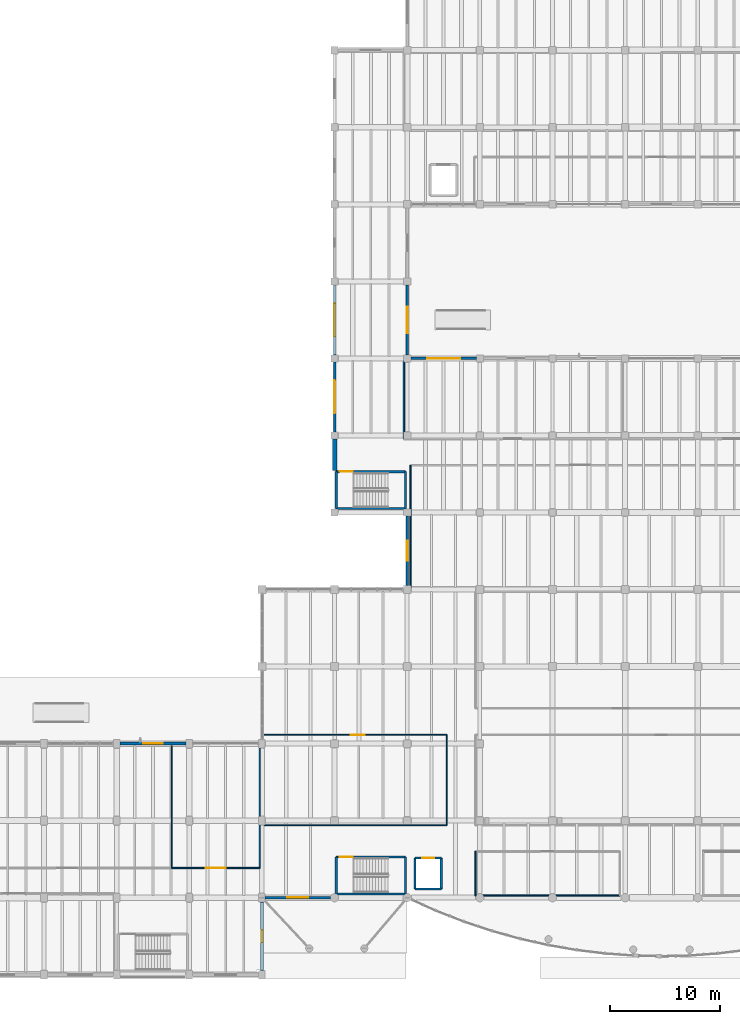
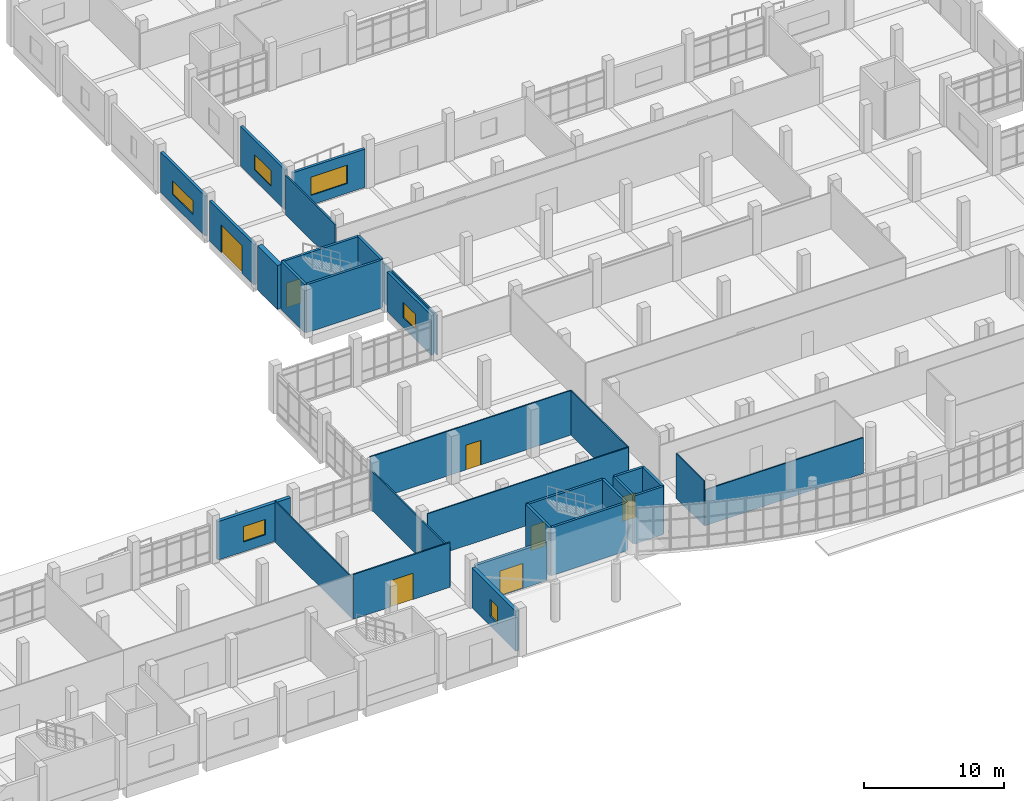
# One storey, part 45 of 69: 31 walls, 7 doors, 6 windows, 13 openings.
"""IFC4 building model written with IfcOpenShell, lengths in metres."""

from ifc_helpers import new_model, si_unit, direction, frame, frame_2d, origin, place, context, subcontext, project, spatial, rectangle, extrude, material, layer, layer_set, type_object, element, fill, save


model = new_model("IFC4")

# Units and contexts
model_context = context("Model", 3, precision=1e-05, world=origin(), true_north=direction((0.0, 1.0)))
body_context = subcontext(model_context, "Body", "Model", "MODEL_VIEW")
ifc_project = project(units=[si_unit("LENGTHUNIT", "METRE"), si_unit("AREAUNIT", "SQUARE_METRE"), si_unit("VOLUMEUNIT", "CUBIC_METRE"), si_unit("PLANEANGLEUNIT", "RADIAN"), si_unit("MASSUNIT", "GRAM", prefix="KILO")], contexts=[model_context])

# Site, building, storey
site_placement = place(None, origin())
site = spatial("IfcSite", under=ifc_project, at=site_placement, CompositionType="ELEMENT")
building_placement = place(site_placement, origin())
building = spatial("IfcBuilding", under=site, at=building_placement, Name="Ciguamira Faculty of Natural Sciences", CompositionType="ELEMENT")
storey_placement = place(building_placement, origin())
storey = spatial("IfcBuildingStorey", under=building, at=storey_placement, Name="L00", CompositionType="ELEMENT", Elevation=0.0)

# Wall, opening, window
ifc_material_1 = material(Name="Precast concrete C40/50", Category="concrete")
ifc_layer_1 = layer(ifc_material_1, 0.280029296875, Name="Precast concrete C40/50")
ifc_layer_set_1 = layer_set([ifc_layer_1], Name="Precast concrete C40/50")
wall_type_1 = type_object("IfcWallType", Name="ExtWall_EW-01_280", PredefinedType="SOLIDWALL", material=ifc_layer_set_1)
wall_1_placement = place(storey_placement, frame((37.800048828125, 24.0, 0.0), z_axis=(0.0, 0.0, 1.0), x_axis=(1.0, 0.0, 0.0)))
wall_1 = element("IfcWall", 1, at=wall_1_placement, inside=storey, type_object=wall_type_1, Name="L00 exterior wall 0082", PredefinedType="SOLIDWALL", context=body_context, shape_type="SweptSolid", body=[
    extrude(rectangle(XDim=6.0, YDim=0.280029296875, at=frame_2d((3.0, 0.0))), origin(), (0.0, 0.0, 1.0), 3.364990234375),
])
opening_1_placement = place(wall_1_placement, frame((2.10009765625, 0.0, 0.85009765625)))
opening_1 = element("IfcOpeningElement", 2, at=opening_1_placement, cuts=wall_1, Name="Opening WT-05", PredefinedType="OPENING", context=body_context, shape_type="SweptSolid", body=[
    extrude(rectangle(XDim=1.800048828125, YDim=1.35009765625, at=frame_2d((0.89990234375, 0.675048828125))), frame((0.0, 0.14990234375, 0.0), z_axis=(0.0, -1.0, 0.0), x_axis=(1.0, 0.0, 0.0)), (0.0, 0.0, 1.0), 0.300048828125),
])
ifc_material_2 = material(Name="Hurricane laminated solar glass", Category="glass")
window_type_1 = type_object("IfcWindowType", Name="Window_WT-05_1800x1350", PartitioningType="DOUBLE_PANEL_VERTICAL", PredefinedType="WINDOW", material=ifc_material_2)
window_1_placement = place(opening_1_placement, origin())
window_1 = element("IfcWindow", 3, at=window_1_placement, inside=storey, type_object=window_type_1, Name="L00 facade window 0012", OverallHeight=1.35009765625, OverallWidth=1.800048828125, PartitioningType="SINGLE_PANEL", PredefinedType="WINDOW", context=body_context, shape_type="SweptSolid", body=[
    extrude(rectangle(XDim=1.800048828125, YDim=1.35009765625, at=frame_2d((0.89990234375, 0.675048828125))), frame((0.0, 0.030029296875, 0.0), z_axis=(0.0, -1.0, 0.0), x_axis=(1.0, 0.0, 0.0)), (0.0, 0.0, 1.0), 0.06005859375),
])
fill(opening_1, window_1)

wall_2_placement = place(storey_placement, frame((50.699951171875, 3.375, 0.0), z_axis=(0.0, 0.0, 1.0), x_axis=(0.0, 1.0, 0.0)))
wall_2 = element("IfcWall", 4, at=wall_2_placement, inside=storey, type_object=wall_type_1, Name="L00 exterior wall 0108", PredefinedType="SOLIDWALL", context=body_context, shape_type="SweptSolid", body=[
    extrude(rectangle(XDim=6.25, YDim=0.280029296875, at=frame_2d((3.125, 0.0))), origin(), (0.0, 0.0, 1.0), 3.5048828125),
])
opening_2_placement = place(wall_2_placement, frame((2.574951171875, 0.0, 0.85009765625)))
opening_2 = element("IfcOpeningElement", 5, at=opening_2_placement, cuts=wall_2, Name="Opening WT-27", PredefinedType="OPENING", context=body_context, shape_type="SweptSolid", body=[
    extrude(rectangle(XDim=1.10009765625, YDim=1.449951171875, at=frame_2d((0.550048828125, 0.72509765625))), frame((0.0, 0.14990234375, 0.0), z_axis=(0.0, -1.0, 0.0), x_axis=(1.0, 0.0, 0.0)), (0.0, 0.0, 1.0), 0.300048828125),
])
window_type_2 = type_object("IfcWindowType", Name="Window_WT-27_1100x1450", PartitioningType="DOUBLE_PANEL_VERTICAL", PredefinedType="WINDOW", material=ifc_material_2)
window_2_placement = place(opening_2_placement, origin())
window_2 = element("IfcWindow", 6, at=window_2_placement, inside=storey, type_object=window_type_2, Name="L00 facade window 0029", OverallHeight=1.449951171875, OverallWidth=1.10009765625, PartitioningType="SINGLE_PANEL", PredefinedType="WINDOW", context=body_context, shape_type="SweptSolid", body=[
    extrude(rectangle(XDim=1.10009765625, YDim=1.449951171875, at=frame_2d((0.550048828125, 0.72509765625))), frame((0.0, 0.030029296875, 0.0), z_axis=(0.0, -1.0, 0.0), x_axis=(1.0, 0.0, 0.0)), (0.0, 0.0, 1.0), 0.06005859375),
])
fill(opening_2, window_2)

# Wall, opening, door
ifc_layer_2 = layer(ifc_material_1, 0.219970703125, Name="Precast concrete C40/50")
ifc_layer_set_2 = layer_set([ifc_layer_2], Name="Precast concrete C40/50")
wall_type_2 = type_object("IfcWallType", Name="ExtWall_EW-03_220", PredefinedType="SOLIDWALL", material=ifc_layer_set_2)
wall_3_placement = place(storey_placement, frame((51.0, 10.0, 0.0), z_axis=(0.0, 0.0, 1.0), x_axis=(1.0, 0.0, 0.0)))
wall_3 = element("IfcWall", 7, at=wall_3_placement, inside=storey, type_object=wall_type_2, Name="L00 exterior wall 0078", PredefinedType="SOLIDWALL", context=body_context, shape_type="SweptSolid", body=[
    extrude(rectangle(XDim=5.925048828125, YDim=0.219970703125, at=frame_2d((2.96240234375, 0.0))), origin(), (0.0, 0.0, 1.0), 3.385009765625),
])
opening_3_placement = place(wall_3_placement, frame((2.012451171875, 0.0, 0.0)))
opening_3 = element("IfcOpeningElement", 8, at=opening_3_placement, cuts=wall_3, Name="Opening ED-04", PredefinedType="OPENING", context=body_context, shape_type="SweptSolid", body=[
    extrude(rectangle(XDim=1.89990234375, YDim=2.199951171875, at=frame_2d((0.949951171875, 1.10009765625))), frame((0.0, 0.119873046875, 0.0), z_axis=(0.0, -1.0, 0.0), x_axis=(1.0, 0.0, 0.0)), (0.0, 0.0, 1.0), 0.239990234375),
])
ifc_material_3 = material(Name="Stair final exit discharge double door")
door_type_1 = type_object("IfcDoorType", Name="ExtDoor_ED-04_1900x2200", OperationType="NOTDEFINED", PredefinedType="DOOR", material=ifc_material_3)
door_1_placement = place(opening_3_placement, frame((1.89990234375, 0.0, 0.0), z_axis=(0.0, 0.0, 1.0), x_axis=(-1.0, 0.0, 0.0)))
door_1 = element("IfcDoor", 9, at=door_1_placement, inside=storey, type_object=door_type_1, Name="Atrium West Concourse Final Exit ED-04", OperationType="DOUBLE_DOOR_SINGLE_SWING", OverallHeight=2.199951171875, OverallWidth=1.89990234375, PredefinedType="DOOR", context=body_context, shape_type="SweptSolid", body=[
    extrude(rectangle(XDim=1.89990234375, YDim=2.199951171875, at=frame_2d((0.949951171875, 1.10009765625))), frame((0.0, 0.02490234375, 0.0), z_axis=(0.0, -1.0, 0.0), x_axis=(1.0, 0.0, 0.0)), (0.0, 0.0, 1.0), 0.050048828125),
])
fill(opening_3, door_1)

# Wall, opening, window
wall_4_placement = place(storey_placement, frame((64.22509765625, 59.0, 0.0), z_axis=(0.0, 0.0, 1.0), x_axis=(1.0, 0.0, 0.0)))
wall_4 = element("IfcWall", 10, at=wall_4_placement, inside=storey, type_object=wall_type_2, Name="L00 exterior wall 0090", PredefinedType="SOLIDWALL", context=body_context, shape_type="SweptSolid", body=[
    extrude(rectangle(XDim=5.949951171875, YDim=0.219970703125, at=frame_2d((2.97509765625, 0.0))), origin(), (0.0, 0.0, 1.0), 3.344970703125),
])
opening_4_placement = place(wall_4_placement, frame((1.47509765625, 0.0, 0.85009765625)))
opening_4 = element("IfcOpeningElement", 11, at=opening_4_placement, cuts=wall_4, Name="Opening WT-25", PredefinedType="OPENING", context=body_context, shape_type="SweptSolid", body=[
    extrude(rectangle(XDim=3.0, YDim=1.60009765625, at=frame_2d((1.5, 0.800048828125))), frame((0.0, 0.119873046875, 0.0), z_axis=(0.0, -1.0, 0.0), x_axis=(1.0, 0.0, 0.0)), (0.0, 0.0, 1.0), 0.239990234375),
])
window_type_3 = type_object("IfcWindowType", Name="Window_WT-25_3000x1600", PartitioningType="DOUBLE_PANEL_VERTICAL", PredefinedType="WINDOW", material=ifc_material_2)
window_3_placement = place(opening_4_placement, origin())
window_3 = element("IfcWindow", 12, at=window_3_placement, inside=storey, type_object=window_type_3, Name="L00 facade window 0017", OverallHeight=1.60009765625, OverallWidth=3.0, PartitioningType="SINGLE_PANEL", PredefinedType="WINDOW", context=body_context, shape_type="SweptSolid", body=[
    extrude(rectangle(XDim=3.0, YDim=1.60009765625, at=frame_2d((1.5, 0.800048828125))), frame((0.0, 0.030029296875, 0.0), z_axis=(0.0, -1.0, 0.0), x_axis=(1.0, 0.0, 0.0)), (0.0, 0.0, 1.0), 0.06005859375),
])
fill(opening_4, window_3)

# Wall, opening, door
wall_5_placement = place(storey_placement, frame((57.300048828125, 52.324951171875, 0.0), z_axis=(0.0, 0.0, 1.0), x_axis=(0.0, 1.0, 0.0)))
wall_5 = element("IfcWall", 13, at=wall_5_placement, inside=storey, type_object=wall_type_2, Name="L00 exterior wall 0110", PredefinedType="SOLIDWALL", context=body_context, shape_type="SweptSolid", body=[
    extrude(rectangle(XDim=6.35009765625, YDim=0.219970703125, at=frame_2d((3.175048828125, 0.0))), origin(), (0.0, 0.0, 1.0), 3.5048828125),
])
opening_5_placement = place(wall_5_placement, frame((1.675048828125, 0.0, 0.0)))
opening_5 = element("IfcOpeningElement", 14, at=opening_5_placement, cuts=wall_5, Name="Opening GD-01", PredefinedType="OPENING", context=body_context, shape_type="SweptSolid", body=[
    extrude(rectangle(XDim=3.0, YDim=2.39990234375, at=frame_2d((1.5, 1.199951171875))), frame((0.0, 0.119873046875, 0.0), z_axis=(0.0, -1.0, 0.0), x_axis=(1.0, 0.0, 0.0)), (0.0, 0.0, 1.0), 0.239990234375),
])
ifc_material_4 = material(Name="Galvanized steel service bay gate", Category="steel")
door_type_2 = type_object("IfcDoorType", Name="ExtDoor_GD-01_3000x2400", OperationType="NOTDEFINED", PredefinedType="GATE", material=ifc_material_4)
door_2_placement = place(opening_5_placement, origin())
door_2 = element("IfcDoor", 15, at=door_2_placement, inside=storey, type_object=door_type_2, Name="Chemistry Gas Cylinder Service Gate GD-04", OperationType="DOUBLE_DOOR_SINGLE_SWING", OverallHeight=2.39990234375, OverallWidth=3.0, PredefinedType="GATE", context=body_context, shape_type="SweptSolid", body=[
    extrude(rectangle(XDim=3.0, YDim=2.39990234375, at=frame_2d((1.5, 1.199951171875))), frame((0.0, 0.02490234375, 0.0), z_axis=(0.0, -1.0, 0.0), x_axis=(1.0, 0.0, 0.0)), (0.0, 0.0, 1.0), 0.050048828125),
])
fill(opening_5, door_2)

# Wall, opening, window
wall_6_placement = place(storey_placement, frame((57.300048828125, 59.324951171875, 0.0), z_axis=(0.0, 0.0, 1.0), x_axis=(0.0, 1.0, 0.0)))
wall_6 = element("IfcWall", 16, at=wall_6_placement, inside=storey, type_object=wall_type_2, Name="L00 exterior wall 0111", PredefinedType="SOLIDWALL", context=body_context, shape_type="SweptSolid", body=[
    extrude(rectangle(XDim=6.35009765625, YDim=0.219970703125, at=frame_2d((3.175048828125, 0.0))), origin(), (0.0, 0.0, 1.0), 3.5048828125),
])
opening_6_placement = place(wall_6_placement, frame((1.675048828125, 0.0, 0.85009765625)))
opening_6 = element("IfcOpeningElement", 17, at=opening_6_placement, cuts=wall_6, Name="Opening WT-33", PredefinedType="OPENING", context=body_context, shape_type="SweptSolid", body=[
    extrude(rectangle(XDim=3.0, YDim=1.199951171875, at=frame_2d((1.5, 0.60009765625))), frame((0.0, 0.119873046875, 0.0), z_axis=(0.0, -1.0, 0.0), x_axis=(1.0, 0.0, 0.0)), (0.0, 0.0, 1.0), 0.239990234375),
])
window_type_4 = type_object("IfcWindowType", Name="Window_WT-33_3000x1200", PartitioningType="DOUBLE_PANEL_VERTICAL", PredefinedType="WINDOW", material=ifc_material_2)
window_4_placement = place(opening_6_placement, origin())
window_4 = element("IfcWindow", 18, at=window_4_placement, inside=storey, type_object=window_type_4, Name="L00 facade window 0030", OverallHeight=1.199951171875, OverallWidth=3.0, PartitioningType="SINGLE_PANEL", PredefinedType="WINDOW", context=body_context, shape_type="SweptSolid", body=[
    extrude(rectangle(XDim=3.0, YDim=1.199951171875, at=frame_2d((1.5, 0.60009765625))), frame((0.0, 0.030029296875, 0.0), z_axis=(0.0, -1.0, 0.0), x_axis=(1.0, 0.0, 0.0)), (0.0, 0.0, 1.0), 0.06005859375),
])
fill(opening_6, window_4)

wall_7_placement = place(storey_placement, frame((63.89990234375, 38.35009765625, 0.0), z_axis=(0.0, 0.0, 1.0), x_axis=(0.0, 1.0, 0.0)))
wall_7 = element("IfcWall", 19, at=wall_7_placement, inside=storey, type_object=wall_type_2, Name="L00 exterior wall 0117", PredefinedType="SOLIDWALL", context=body_context, shape_type="SweptSolid", body=[
    extrude(rectangle(XDim=6.324951171875, YDim=0.219970703125, at=frame_2d((3.16259765625, 0.0))), origin(), (0.0, 0.0, 1.0), 3.465087890625),
])
opening_7_placement = place(wall_7_placement, frame((2.262451171875, 0.0, 0.85009765625)))
opening_7 = element("IfcOpeningElement", 20, at=opening_7_placement, cuts=wall_7, Name="Opening WT-05", PredefinedType="OPENING", context=body_context, shape_type="SweptSolid", body=[
    extrude(rectangle(XDim=1.800048828125, YDim=1.35009765625, at=frame_2d((0.89990234375, 0.675048828125))), frame((0.0, 0.119873046875, 0.0), z_axis=(0.0, -1.0, 0.0), x_axis=(1.0, 0.0, 0.0)), (0.0, 0.0, 1.0), 0.239990234375),
])
window_5_placement = place(opening_7_placement, origin())
window_5 = element("IfcWindow", 21, at=window_5_placement, inside=storey, type_object=window_type_1, Name="L00 facade window 0036", OverallHeight=1.35009765625, OverallWidth=1.800048828125, PartitioningType="SINGLE_PANEL", PredefinedType="WINDOW", context=body_context, shape_type="SweptSolid", body=[
    extrude(rectangle(XDim=1.800048828125, YDim=1.35009765625, at=frame_2d((0.89990234375, 0.675048828125))), frame((0.0, 0.030029296875, 0.0), z_axis=(0.0, -1.0, 0.0), x_axis=(1.0, 0.0, 0.0)), (0.0, 0.0, 1.0), 0.06005859375),
])
fill(opening_7, window_5)

wall_8_placement = place(storey_placement, frame((63.89990234375, 59.324951171875, 0.0), z_axis=(0.0, 0.0, 1.0), x_axis=(0.0, 1.0, 0.0)))
wall_8 = element("IfcWall", 22, at=wall_8_placement, inside=storey, type_object=wall_type_2, Name="L00 exterior wall 0118", PredefinedType="SOLIDWALL", context=body_context, shape_type="SweptSolid", body=[
    extrude(rectangle(XDim=6.35009765625, YDim=0.219970703125, at=frame_2d((3.175048828125, 0.0))), origin(), (0.0, 0.0, 1.0), 3.465087890625),
])
opening_8_placement = place(wall_8_placement, frame((1.97509765625, 0.0, 0.85009765625)))
opening_8 = element("IfcOpeningElement", 23, at=opening_8_placement, cuts=wall_8, Name="Opening WT-07", PredefinedType="OPENING", context=body_context, shape_type="SweptSolid", body=[
    extrude(rectangle(XDim=2.39990234375, YDim=1.35009765625, at=frame_2d((1.199951171875, 0.675048828125))), frame((0.0, 0.119873046875, 0.0), z_axis=(0.0, -1.0, 0.0), x_axis=(1.0, 0.0, 0.0)), (0.0, 0.0, 1.0), 0.239990234375),
])
window_type_5 = type_object("IfcWindowType", Name="Window_WT-07_2400x1350", PartitioningType="DOUBLE_PANEL_VERTICAL", PredefinedType="WINDOW", material=ifc_material_2)
window_6_placement = place(opening_8_placement, origin())
window_6 = element("IfcWindow", 24, at=window_6_placement, inside=storey, type_object=window_type_5, Name="L00 facade window 0037", OverallHeight=1.35009765625, OverallWidth=2.39990234375, PartitioningType="SINGLE_PANEL", PredefinedType="WINDOW", context=body_context, shape_type="SweptSolid", body=[
    extrude(rectangle(XDim=2.39990234375, YDim=1.35009765625, at=frame_2d((1.199951171875, 0.675048828125))), frame((0.0, 0.030029296875, 0.0), z_axis=(0.0, -1.0, 0.0), x_axis=(1.0, 0.0, 0.0)), (0.0, 0.0, 1.0), 0.06005859375),
])
fill(opening_8, window_6)

# Walls
ifc_material_5 = material(Name="Concrete C40/50", Category="concrete")
ifc_layer_3 = layer(ifc_material_5, 0.39990234375, Name="Concrete C40/50")
ifc_layer_set_3 = layer_set([ifc_layer_3], Name="Concrete C40/50")
wall_type_3 = type_object("IfcWallType", Name="ExtWall_RW-02_400", PredefinedType="SHEAR", material=ifc_layer_set_3)
wall_9_placement = place(storey_placement, frame((57.300048828125, 48.81005859375, 0.0), z_axis=(0.0, 0.0, 1.0), x_axis=(0.0, 1.0, 0.0)))
element("IfcWall", 25, at=wall_9_placement, inside=storey, type_object=wall_type_3, Name="L00 exterior wall 0109", PredefinedType="SHEAR", context=body_context, shape_type="SweptSolid", body=[
    extrude(rectangle(XDim=2.864990234375, YDim=0.39990234375, at=frame_2d((1.4326171875, 0.0))), origin(), (0.0, 0.0, 1.0), 3.85009765625),
])
ifc_layer_4 = layer(ifc_material_5, 0.199951171875, Name="Concrete C40/50")
ifc_layer_set_4 = layer_set([ifc_layer_4], Name="Concrete C40/50")
wall_type_4 = type_object("IfcWallType", Name="IntWall_CW-S20_200", PredefinedType="SHEAR", material=ifc_layer_set_4)
wall_10_placement = place(storey_placement, frame((57.449951171875, 10.35009765625, 0.0), z_axis=(0.0, 0.0, 1.0), x_axis=(1.0, 0.0, 0.0)))
element("IfcWall", 26, at=wall_10_placement, inside=storey, type_object=wall_type_4, Name="L00 ST-A1 core shear wall south", PredefinedType="SHEAR", context=body_context, shape_type="SweptSolid", body=[
    extrude(rectangle(XDim=6.300048828125, YDim=0.199951171875, at=frame_2d((3.14990234375, 0.0))), origin(), (0.0, 0.0, 1.0), 4.199951171875),
])

# Wall, opening, door
wall_11_placement = place(storey_placement, frame((57.449951171875, 13.7099609375, 0.0), z_axis=(0.0, 0.0, 1.0), x_axis=(1.0, 0.0, 0.0)))
wall_11 = element("IfcWall", 27, at=wall_11_placement, inside=storey, type_object=wall_type_4, Name="L00 ST-A1 core shear wall north", PredefinedType="SHEAR", context=body_context, shape_type="SweptSolid", body=[
    extrude(rectangle(XDim=6.300048828125, YDim=0.199951171875, at=frame_2d((3.14990234375, 0.0))), origin(), (0.0, 0.0, 1.0), 4.199951171875),
])
opening_9_placement = place(wall_11_placement, frame((0.320068359375, 0.0, 0.0)))
opening_9 = element("IfcOpeningElement", 28, at=opening_9_placement, cuts=wall_11, Name="Opening ID-14", PredefinedType="OPENING", context=body_context, shape_type="SweptSolid", body=[
    extrude(rectangle(XDim=1.199951171875, YDim=2.14990234375, at=frame_2d((0.60009765625, 1.074951171875))), frame((0.0, 0.10986328125, 0.0), z_axis=(0.0, -1.0, 0.0), x_axis=(1.0, 0.0, 0.0)), (0.0, 0.0, 1.0), 0.219970703125),
])
ifc_material_6 = material(Name="Protected exit stair fire door")
door_type_3 = type_object("IfcDoorType", Name="IntDoor_ID-14_1200x2150", OperationType="NOTDEFINED", PredefinedType="DOOR", material=ifc_material_6)
door_3_placement = place(opening_9_placement, frame((1.199951171875, 0.0, 0.0), z_axis=(0.0, 0.0, 1.0), x_axis=(-1.0, 0.0, 0.0)))
door_3 = element("IfcDoor", 29, at=door_3_placement, inside=storey, type_object=door_type_3, Name="L00 ST-A1 exit stair fire door", OperationType="SINGLE_SWING_RIGHT", OverallHeight=2.14990234375, OverallWidth=1.199951171875, PredefinedType="DOOR", context=body_context, shape_type="SweptSolid", body=[
    extrude(rectangle(XDim=1.199951171875, YDim=2.14990234375, at=frame_2d((0.60009765625, 1.074951171875))), frame((0.0, 0.02490234375, 0.0), z_axis=(0.0, -1.0, 0.0), x_axis=(1.0, 0.0, 0.0)), (0.0, 0.0, 1.0), 0.050048828125),
])
fill(opening_9, door_3)

# Walls
for number, where, z_axis, x_axis, name in (
    (30, (57.449951171875, 10.35009765625, 0.0), (0.0, 0.0, 1.0), (0.0, 1.0, 0.0), "L00 ST-A1 core shear wall west"),
    (31, (63.75, 10.35009765625, 0.0), (0.0, 0.0, 1.0), (0.0, 1.0, 0.0), "L00 ST-A1 core shear wall east"),
):
    element("IfcWall", number, at=place(storey_placement, frame(where, z_axis=z_axis, x_axis=x_axis)), inside=storey, type_object=wall_type_4, Name=name, PredefinedType="SHEAR", context=body_context, shape_type="SweptSolid", body=[
        extrude(rectangle(XDim=3.35986328125, YDim=0.199951171875, at=frame_2d((1.679931640625, 0.0))), origin(), (0.0, 0.0, 1.0), 4.199951171875),
    ])
wall_12_placement = place(storey_placement, frame((57.449951171875, 45.35009765625, 0.0), z_axis=(0.0, 0.0, 1.0), x_axis=(1.0, 0.0, 0.0)))
element("IfcWall", 32, at=wall_12_placement, inside=storey, type_object=wall_type_4, Name="L00 ST-W1 core shear wall south", PredefinedType="SHEAR", context=body_context, shape_type="SweptSolid", body=[
    extrude(rectangle(XDim=6.300048828125, YDim=0.199951171875, at=frame_2d((3.14990234375, 0.0))), origin(), (0.0, 0.0, 1.0), 4.199951171875),
])

# Wall, opening, door
wall_13_placement = place(storey_placement, frame((57.449951171875, 48.7099609375, 0.0), z_axis=(0.0, 0.0, 1.0), x_axis=(1.0, 0.0, 0.0)))
wall_13 = element("IfcWall", 33, at=wall_13_placement, inside=storey, type_object=wall_type_4, Name="L00 ST-W1 core shear wall north", PredefinedType="SHEAR", context=body_context, shape_type="SweptSolid", body=[
    extrude(rectangle(XDim=6.300048828125, YDim=0.199951171875, at=frame_2d((3.14990234375, 0.0))), origin(), (0.0, 0.0, 1.0), 4.199951171875),
])
opening_10_placement = place(wall_13_placement, frame((0.320068359375, 0.0, 0.0)))
opening_10 = element("IfcOpeningElement", 34, at=opening_10_placement, cuts=wall_13, Name="Opening ID-14", PredefinedType="OPENING", context=body_context, shape_type="SweptSolid", body=[
    extrude(rectangle(XDim=1.199951171875, YDim=2.14990234375, at=frame_2d((0.60009765625, 1.074951171875))), frame((0.0, 0.10986328125, 0.0), z_axis=(0.0, -1.0, 0.0), x_axis=(1.0, 0.0, 0.0)), (0.0, 0.0, 1.0), 0.219970703125),
])
door_4_placement = place(opening_10_placement, frame((1.199951171875, 0.0, 0.0), z_axis=(0.0, 0.0, 1.0), x_axis=(-1.0, 0.0, 0.0)))
door_4 = element("IfcDoor", 35, at=door_4_placement, inside=storey, type_object=door_type_3, Name="L00 ST-W1 exit stair fire door", OperationType="SINGLE_SWING_LEFT", OverallHeight=2.14990234375, OverallWidth=1.199951171875, PredefinedType="DOOR", context=body_context, shape_type="SweptSolid", body=[
    extrude(rectangle(XDim=1.199951171875, YDim=2.14990234375, at=frame_2d((0.60009765625, 1.074951171875))), frame((0.0, 0.02490234375, 0.0), z_axis=(0.0, -1.0, 0.0), x_axis=(1.0, 0.0, 0.0)), (0.0, 0.0, 1.0), 0.050048828125),
])
fill(opening_10, door_4)

# Walls
for number, where, z_axis, x_axis, name in (
    (36, (57.449951171875, 45.35009765625, 0.0), (0.0, 0.0, 1.0), (0.0, 1.0, 0.0), "L00 ST-W1 core shear wall west"),
    (37, (63.75, 45.35009765625, 0.0), (0.0, 0.0, 1.0), (0.0, 1.0, 0.0), "L00 ST-W1 core shear wall east"),
):
    element("IfcWall", number, at=place(storey_placement, frame(where, z_axis=z_axis, x_axis=x_axis)), inside=storey, type_object=wall_type_4, Name=name, PredefinedType="SHEAR", context=body_context, shape_type="SweptSolid", body=[
        extrude(rectangle(XDim=3.35986328125, YDim=0.199951171875, at=frame_2d((1.679931640625, 0.0))), origin(), (0.0, 0.0, 1.0), 4.199951171875),
    ])
wall_14_placement = place(storey_placement, frame((64.60009765625, 10.800048828125, 0.0), z_axis=(0.0, 0.0, 1.0), x_axis=(1.0, 0.0, 0.0)))
element("IfcWall", 38, at=wall_14_placement, inside=storey, type_object=wall_type_4, Name="L00 EL-P3 hoistway wall south", PredefinedType="SHEAR", context=body_context, shape_type="SweptSolid", body=[
    extrude(rectangle(XDim=2.39990234375, YDim=0.199951171875, at=frame_2d((1.199951171875, 0.0))), origin(), (0.0, 0.0, 1.0), 4.199951171875),
])

# Wall, opening, door
wall_15_placement = place(storey_placement, frame((64.60009765625, 13.60009765625, 0.0), z_axis=(0.0, 0.0, 1.0), x_axis=(1.0, 0.0, 0.0)))
wall_15 = element("IfcWall", 39, at=wall_15_placement, inside=storey, type_object=wall_type_4, Name="L00 EL-P3 hoistway wall north", PredefinedType="SHEAR", context=body_context, shape_type="SweptSolid", body=[
    extrude(rectangle(XDim=2.39990234375, YDim=0.199951171875, at=frame_2d((1.199951171875, 0.0))), origin(), (0.0, 0.0, 1.0), 4.199951171875),
])
opening_11_placement = place(wall_15_placement, frame((0.64990234375, 0.0, 0.0)))
opening_11 = element("IfcOpeningElement", 40, at=opening_11_placement, cuts=wall_15, Name="Opening LD-01", PredefinedType="OPENING", context=body_context, shape_type="SweptSolid", body=[
    extrude(rectangle(XDim=1.10009765625, YDim=2.14990234375, at=frame_2d((0.550048828125, 1.074951171875))), frame((0.0, 0.10986328125, 0.0), z_axis=(0.0, -1.0, 0.0), x_axis=(1.0, 0.0, 0.0)), (0.0, 0.0, 1.0), 0.219970703125),
])
ifc_material_7 = material(Name="Passenger elevator sliding landing door")
door_type_4 = type_object("IfcDoorType", Name="LiftLandingDoor_LD-01_1100x2150", OperationType="SLIDING_TO_LEFT", PredefinedType="DOOR", material=ifc_material_7)
door_5_placement = place(opening_11_placement, origin())
door_5 = element("IfcDoor", 41, at=door_5_placement, inside=storey, type_object=door_type_4, Name="L00 EL-P3 elevator landing sliding door", OperationType="SLIDING_TO_LEFT", OverallHeight=2.14990234375, OverallWidth=1.10009765625, PredefinedType="DOOR", context=body_context, shape_type="SweptSolid", body=[
    extrude(rectangle(XDim=1.10009765625, YDim=2.14990234375, at=frame_2d((0.550048828125, 1.074951171875))), frame((0.0, 0.02490234375, 0.0), z_axis=(0.0, -1.0, 0.0), x_axis=(1.0, 0.0, 0.0)), (0.0, 0.0, 1.0), 0.050048828125),
])
fill(opening_11, door_5)

# Walls
for number, where, z_axis, x_axis, name in (
    (42, (64.60009765625, 10.800048828125, 0.0), (0.0, 0.0, 1.0), (0.0, 1.0, 0.0), "L00 EL-P3 hoistway wall west"),
    (43, (67.0, 10.800048828125, 0.0), (0.0, 0.0, 1.0), (0.0, 1.0, 0.0), "L00 EL-P3 hoistway wall east"),
):
    element("IfcWall", number, at=place(storey_placement, frame(where, z_axis=z_axis, x_axis=x_axis)), inside=storey, type_object=wall_type_4, Name=name, PredefinedType="SHEAR", context=body_context, shape_type="SweptSolid", body=[
        extrude(rectangle(XDim=2.800048828125, YDim=0.199951171875, at=frame_2d((1.39990234375, 0.0))), origin(), (0.0, 0.0, 1.0), 4.199951171875),
    ])
ifc_material_8 = material(Name="Fire-rated gypsum partition")
ifc_layer_5 = layer(ifc_material_8, 0.10009765625, Name="Fire-rated gypsum partition")
ifc_layer_set_5 = layer_set([ifc_layer_5], Name="Fire-rated gypsum partition")
wall_type_5 = type_object("IfcWallType", Name="IntWall_IW-A10_100", PredefinedType="PARTITIONING", material=ifc_layer_set_5)
wall_16_placement = place(storey_placement, frame((42.5, 12.699951171875, 0.0), z_axis=(0.0, 0.0, 1.0), x_axis=(0.0, 1.0, 0.0)))
element("IfcWall", 44, at=wall_16_placement, inside=storey, type_object=wall_type_5, Name="L00 Open Reference Periodicals Hall partition east", PredefinedType="PARTITIONING", context=body_context, shape_type="SweptSolid", body=[
    extrude(rectangle(XDim=11.10009765625, YDim=0.10009765625, at=frame_2d((5.550048828125, 0.0))), origin(), (0.0, 0.0, 1.0), 3.574462890625),
])
wall_17_placement = place(storey_placement, frame((70.10009765625, 10.199951171875, 0.0), z_axis=(0.0, 0.0, 1.0), x_axis=(1.0, 0.0, 0.0)))
element("IfcWall", 45, at=wall_17_placement, inside=storey, type_object=wall_type_5, Name="L00 Caribbean Marine Fossil Exhibition Gallery partition south", PredefinedType="PARTITIONING", context=body_context, shape_type="SweptSolid", body=[
    extrude(rectangle(XDim=13.099853515625, YDim=0.10009765625, at=frame_2d((6.5498046875, 0.0))), origin(), (0.0, 0.0, 1.0), 3.135009765625),
])
wall_18_placement = place(storey_placement, frame((70.10009765625, 10.199951171875, 0.0), z_axis=(0.0, 0.0, 1.0), x_axis=(0.0, 1.0, 0.0)))
element("IfcWall", 46, at=wall_18_placement, inside=storey, type_object=wall_type_5, Name="L00 Caribbean Marine Fossil Exhibition Gallery partition west", PredefinedType="PARTITIONING", context=body_context, shape_type="SweptSolid", body=[
    extrude(rectangle(XDim=4.0, YDim=0.10009765625, at=frame_2d((2.0, 0.0))), origin(), (0.0, 0.0, 1.0), 3.89990234375),
])
wall_19_placement = place(storey_placement, frame((50.89990234375, 16.60009765625, 0.0), z_axis=(0.0, 0.0, 1.0), x_axis=(1.0, 0.0, 0.0)))
element("IfcWall", 47, at=wall_19_placement, inside=storey, type_object=wall_type_5, Name="L00 University Academic Bookshop partition south", PredefinedType="PARTITIONING", context=body_context, shape_type="SweptSolid", body=[
    extrude(rectangle(XDim=16.60009765625, YDim=0.10009765625, at=frame_2d((8.300048828125, 0.0))), origin(), (0.0, 0.0, 1.0), 3.89990234375),
])

# Wall, opening, door
wall_20_placement = place(storey_placement, frame((50.89990234375, 24.800048828125, 0.0), z_axis=(0.0, 0.0, 1.0), x_axis=(1.0, 0.0, 0.0)))
wall_20 = element("IfcWall", 48, at=wall_20_placement, inside=storey, type_object=wall_type_5, Name="L00 University Academic Bookshop partition north", PredefinedType="PARTITIONING", context=body_context, shape_type="SweptSolid", body=[
    extrude(rectangle(XDim=16.60009765625, YDim=0.10009765625, at=frame_2d((8.300048828125, 0.0))), origin(), (0.0, 0.0, 1.0), 3.89990234375),
])
opening_12_placement = place(wall_20_placement, frame((7.875, 0.0, 0.0)))
opening_12 = element("IfcOpeningElement", 49, at=opening_12_placement, cuts=wall_20, Name="Opening ID-06", PredefinedType="OPENING", context=body_context, shape_type="SweptSolid", body=[
    extrude(rectangle(XDim=1.25, YDim=2.14990234375, at=frame_2d((0.625, 1.074951171875))), frame((0.0, 0.06005859375, 0.0), z_axis=(0.0, -1.0, 0.0), x_axis=(1.0, 0.0, 0.0)), (0.0, 0.0, 1.0), 0.1201171875),
])
ifc_material_9 = material(Name="Instrument room leaf-and-half door")
door_type_5 = type_object("IfcDoorType", Name="IntDoor_ID-06_1250x2150", OperationType="NOTDEFINED", PredefinedType="DOOR", material=ifc_material_9)
door_6_placement = place(opening_12_placement, frame((1.25, 0.0, 0.0), z_axis=(0.0, 0.0, 1.0), x_axis=(-1.0, 0.0, 0.0)))
door_6 = element("IfcDoor", 50, at=door_6_placement, inside=storey, type_object=door_type_5, Name="L00 University Academic Bookshop door", OperationType="SINGLE_SWING_LEFT", OverallHeight=2.14990234375, OverallWidth=1.25, PredefinedType="DOOR", context=body_context, shape_type="SweptSolid", body=[
    extrude(rectangle(XDim=1.25, YDim=2.14990234375, at=frame_2d((0.625, 1.074951171875))), frame((0.0, 0.02490234375, 0.0), z_axis=(0.0, -1.0, 0.0), x_axis=(1.0, 0.0, 0.0)), (0.0, 0.0, 1.0), 0.050048828125),
])
fill(opening_12, door_6)

# Wall
wall_21_placement = place(storey_placement, frame((67.5, 16.60009765625, 0.0), z_axis=(0.0, 0.0, 1.0), x_axis=(0.0, 1.0, 0.0)))
element("IfcWall", 51, at=wall_21_placement, inside=storey, type_object=wall_type_5, Name="L00 University Academic Bookshop partition east", PredefinedType="PARTITIONING", context=body_context, shape_type="SweptSolid", body=[
    extrude(rectangle(XDim=8.199951171875, YDim=0.10009765625, at=frame_2d((4.10009765625, 0.0))), origin(), (0.0, 0.0, 1.0), 3.89990234375),
])

# Wall, opening, door
ifc_material_10 = material(Name="Acoustic double-stud gypsum partition")
ifc_layer_6 = layer(ifc_material_10, 0.1201171875, Name="Acoustic double-stud gypsum partition")
ifc_layer_set_6 = layer_set([ifc_layer_6], Name="Acoustic double-stud gypsum partition")
wall_type_6 = type_object("IfcWallType", Name="IntWall_IW-A12_120", PredefinedType="PARTITIONING", material=ifc_layer_set_6)
wall_22_placement = place(storey_placement, frame((42.5, 12.699951171875, 0.0), z_axis=(0.0, 0.0, 1.0), x_axis=(1.0, 0.0, 0.0)))
wall_22 = element("IfcWall", 52, at=wall_22_placement, inside=storey, type_object=wall_type_6, Name="L00 Library Circulation Seminar Room partition south", PredefinedType="PARTITIONING", context=body_context, shape_type="SweptSolid", body=[
    extrude(rectangle(XDim=8.0, YDim=0.1201171875, at=frame_2d((4.0, 0.0))), origin(), (0.0, 0.0, 1.0), 3.89990234375),
])
opening_13_placement = place(wall_22_placement, frame((3.074951171875, 0.0, 0.0)))
opening_13 = element("IfcOpeningElement", 53, at=opening_13_placement, cuts=wall_22, Name="Opening ID-12", PredefinedType="OPENING", context=body_context, shape_type="SweptSolid", body=[
    extrude(rectangle(XDim=1.85009765625, YDim=2.300048828125, at=frame_2d((0.925048828125, 1.14990234375))), frame((0.0, 0.070068359375, 0.0), z_axis=(0.0, -1.0, 0.0), x_axis=(1.0, 0.0, 0.0)), (0.0, 0.0, 1.0), 0.14013671875),
])
ifc_material_11 = material(Name="Lecture auditorium acoustic double door")
door_type_6 = type_object("IfcDoorType", Name="IntDoor_ID-12_1850x2300", OperationType="NOTDEFINED", PredefinedType="DOOR", material=ifc_material_11)
door_7_placement = place(opening_13_placement, origin())
door_7 = element("IfcDoor", 54, at=door_7_placement, inside=storey, type_object=door_type_6, Name="L00 Library Circulation Seminar Room door", OperationType="SINGLE_SWING_RIGHT", OverallHeight=2.300048828125, OverallWidth=1.85009765625, PredefinedType="DOOR", context=body_context, shape_type="SweptSolid", body=[
    extrude(rectangle(XDim=1.85009765625, YDim=2.300048828125, at=frame_2d((0.925048828125, 1.14990234375))), frame((0.0, 0.02490234375, 0.0), z_axis=(0.0, -1.0, 0.0), x_axis=(1.0, 0.0, 0.0)), (0.0, 0.0, 1.0), 0.050048828125),
])
fill(opening_13, door_7)

# Walls
wall_23_placement = place(storey_placement, frame((50.5, 12.699951171875, 0.0), z_axis=(0.0, 0.0, 1.0), x_axis=(0.0, 1.0, 0.0)))
element("IfcWall", 55, at=wall_23_placement, inside=storey, type_object=wall_type_6, Name="L00 Library Circulation Seminar Room partition east", PredefinedType="PARTITIONING", context=body_context, shape_type="SweptSolid", body=[
    extrude(rectangle(XDim=11.10009765625, YDim=0.1201171875, at=frame_2d((5.550048828125, 0.0))), origin(), (0.0, 0.0, 1.0), 3.405029296875),
])
wall_24_placement = place(storey_placement, frame((64.199951171875, 38.199951171875, 0.0), z_axis=(0.0, 0.0, 1.0), x_axis=(0.0, 1.0, 0.0)))
element("IfcWall", 56, at=wall_24_placement, inside=storey, type_object=wall_type_6, Name="L00 L00 South Lab Seminar Room partition west", PredefinedType="PARTITIONING", context=body_context, shape_type="SweptSolid", body=[
    extrude(rectangle(XDim=11.10009765625, YDim=0.1201171875, at=frame_2d((5.550048828125, 0.0))), origin(), (0.0, 0.0, 1.0), 3.465087890625),
])
ifc_material_12 = material(Name="Moisture-resistant service chase wall")
ifc_layer_7 = layer(ifc_material_12, 0.139892578125, Name="Moisture-resistant service chase wall")
ifc_layer_set_7 = layer_set([ifc_layer_7], Name="Moisture-resistant service chase wall")
wall_type_7 = type_object("IfcWallType", Name="IntWall_IW-P14_140", PredefinedType="PLUMBINGWALL", material=ifc_layer_set_7)
wall_25_placement = place(storey_placement, frame((63.60009765625, 51.699951171875, 0.0), z_axis=(0.0, 0.0, 1.0), x_axis=(0.0, 1.0, 0.0)))
element("IfcWall", 57, at=wall_25_placement, inside=storey, type_object=wall_type_7, Name="L00 General Chemistry Teaching Laboratory partition west", PredefinedType="PLUMBINGWALL", context=body_context, shape_type="SweptSolid", body=[
    extrude(rectangle(XDim=7.10009765625, YDim=0.139892578125, at=frame_2d((3.550048828125, 0.0))), origin(), (0.0, 0.0, 1.0), 3.425048828125),
])

save(model, "model.ifc")
